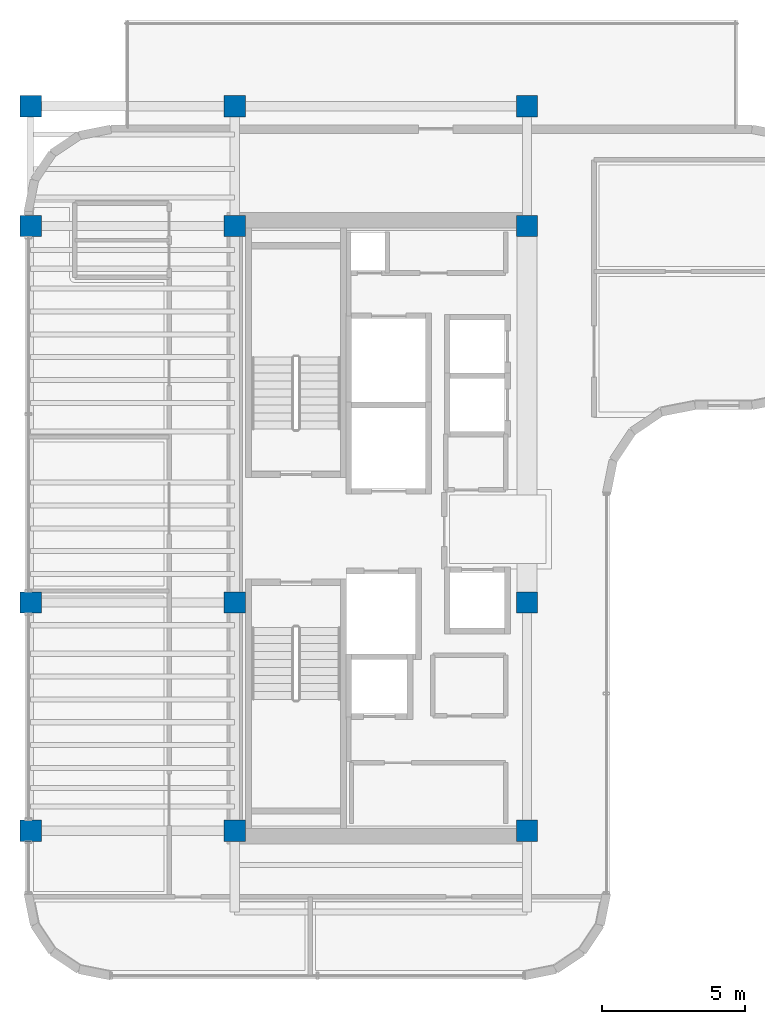
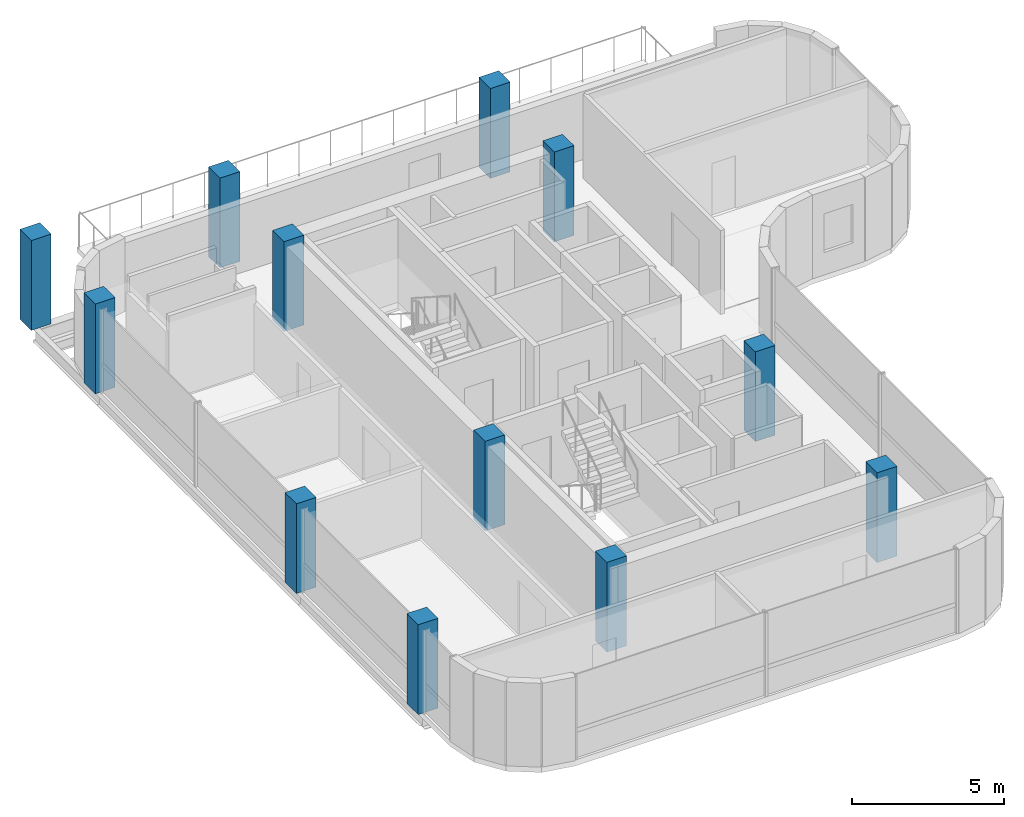
# One storey, part 1 of 13: 12 columns.
"""IFC4 building model written with IfcOpenShell, lengths in metres."""

from ifc_helpers import new_model, si_unit, direction, frame, origin, origin_2d, place, context, subcontext, project, spatial, rectangle, extrude, source, transform, mapped, material, material_profile, profile_set, type_object, element, save


model = new_model("IFC4")

# Units and contexts
model_context = context("Model", 3, precision=1e-05, world=origin(), true_north=direction((0.0, 1.0)))
body_context = subcontext(model_context, "Body", "Model", "MODEL_VIEW")
ifc_project = project(units=[si_unit("LENGTHUNIT", "METRE"), si_unit("AREAUNIT", "SQUARE_METRE"), si_unit("VOLUMEUNIT", "CUBIC_METRE"), si_unit("PLANEANGLEUNIT", "RADIAN"), si_unit("MASSUNIT", "GRAM", prefix="KILO")], contexts=[model_context])

# Site, building, storey
site_placement = place(None, origin())
site = spatial("IfcSite", under=ifc_project, at=site_placement, CompositionType="ELEMENT")
building_placement = place(site_placement, origin())
building = spatial("IfcBuilding", under=site, at=building_placement, Name="Valdorenza Pilgrim Sanctuary Tower", CompositionType="ELEMENT")
storey_placement = place(building_placement, frame((0.0, 0.0, 290.60009765625)))
storey = spatial("IfcBuildingStorey", under=building, at=storey_placement, Name="L76", CompositionType="ELEMENT", Elevation=290.60009765625)

# Columns
ifc_material = material(Name="Concrete C50/60", Category="concrete")
ifc_material_profile = material_profile(ifc_material, rectangle(XDim=0.75, YDim=0.75, at=origin_2d()), Name="RC 750x750")
ifc_profile_set = profile_set([ifc_material_profile], Name="Concrete C50/60")
column_type = type_object("IfcColumnType", Name="COL-CRW-750", PredefinedType="COLUMN", material=ifc_profile_set)
shared_shape = source(origin(), body_context, "Body", "SweptSolid", [
    extrude(rectangle(XDim=0.75, YDim=0.75, at=origin_2d()), origin(), (0.0, 0.0, 1.0), 3.599853515625),
])
for number, where, z_axis, x_axis, name in (
    (1, (-29.800048828125, -10.60009765625, 0.0), (0.0, 0.0, 1.0), (1.0, 0.0, 0.0), "L76 Perimeter Column WA-W-S1"),
    (2, (-22.64990234375, -10.60009765625, 0.0), (0.0, 0.0, 1.0), (1.0, 0.0, 0.0), "L76 Column CA-W-S1"),
    (3, (-12.39990234375, -10.60009765625, 0.0), (0.0, 0.0, 1.0), (1.0, 0.0, 0.0), "L76 Column CA-E-S1"),
    (4, (-29.800048828125, -2.60009765625, 0.0), (0.0, 0.0, 1.0), (1.0, 0.0, 0.0), "L76 Perimeter Column WA-W-M0"),
    (5, (-22.64990234375, -2.60009765625, 0.0), (0.0, 0.0, 1.0), (1.0, 0.0, 0.0), "L76 Column CA-W-M0"),
    (6, (-12.39990234375, -2.60009765625, 0.0), (0.0, 0.0, 1.0), (1.0, 0.0, 0.0), "L76 Column CA-E-M0"),
    (7, (-29.800048828125, 10.60009765625, 0.0), (0.0, 0.0, 1.0), (1.0, 0.0, 0.0), "L76 Perimeter Column WA-W-N1"),
    (8, (-22.64990234375, 10.60009765625, 0.0), (0.0, 0.0, 1.0), (1.0, 0.0, 0.0), "L76 Column CA-W-N1"),
    (9, (-12.39990234375, 10.60009765625, 0.0), (0.0, 0.0, 1.0), (1.0, 0.0, 0.0), "L76 Column CA-E-N1"),
    (10, (-29.800048828125, 14.800048828125, 0.0), (0.0, 0.0, 1.0), (1.0, 0.0, 0.0), "L76 Perimeter Column WA-W-N2"),
    (11, (-22.64990234375, 14.800048828125, 0.0), (0.0, 0.0, 1.0), (1.0, 0.0, 0.0), "L76 Column CA-W-N2"),
    (12, (-12.39990234375, 14.800048828125, 0.0), (0.0, 0.0, 1.0), (1.0, 0.0, 0.0), "L76 Column CA-E-N2"),
):
    element("IfcColumn", number, at=place(storey_placement, frame(where, z_axis=z_axis, x_axis=x_axis)), inside=storey, type_object=column_type, Name=name, PredefinedType="COLUMN", context=body_context, shape_type="MappedRepresentation", body=[
        mapped(shared_shape, transform((0.0, 0.0, 0.0), x_axis=(1.0, 0.0, 0.0), y_axis=(0.0, 1.0, 0.0), z_axis=(0.0, 0.0, 1.0), scale=1.0)),
    ])

save(model, "model.ifc")
